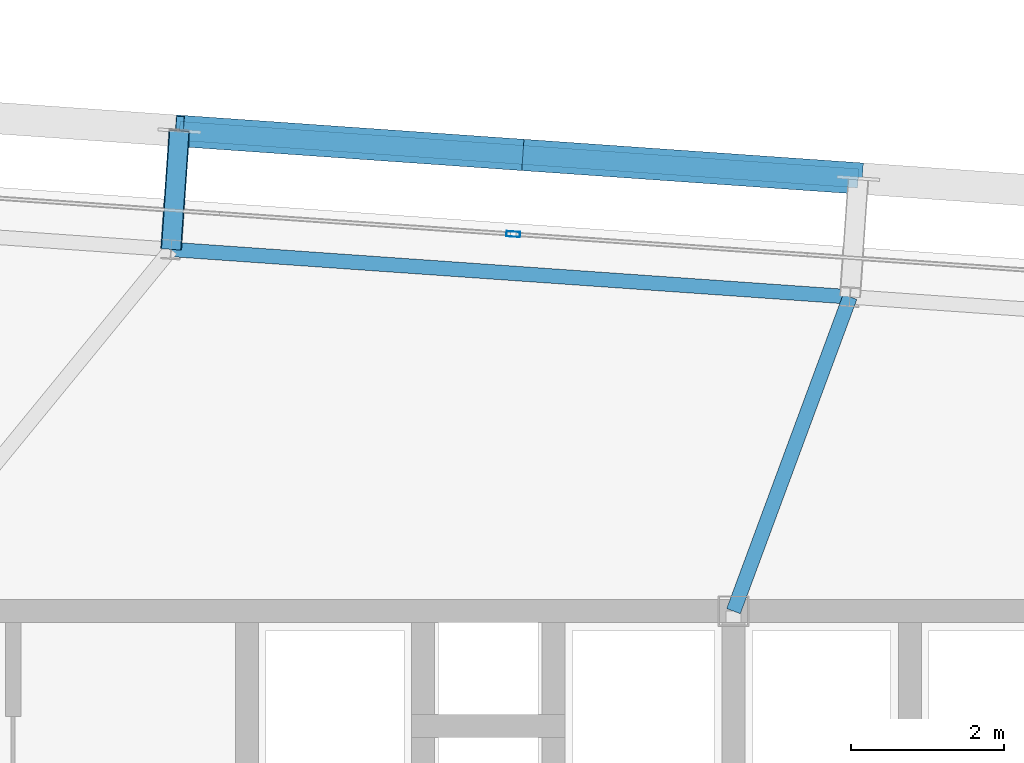
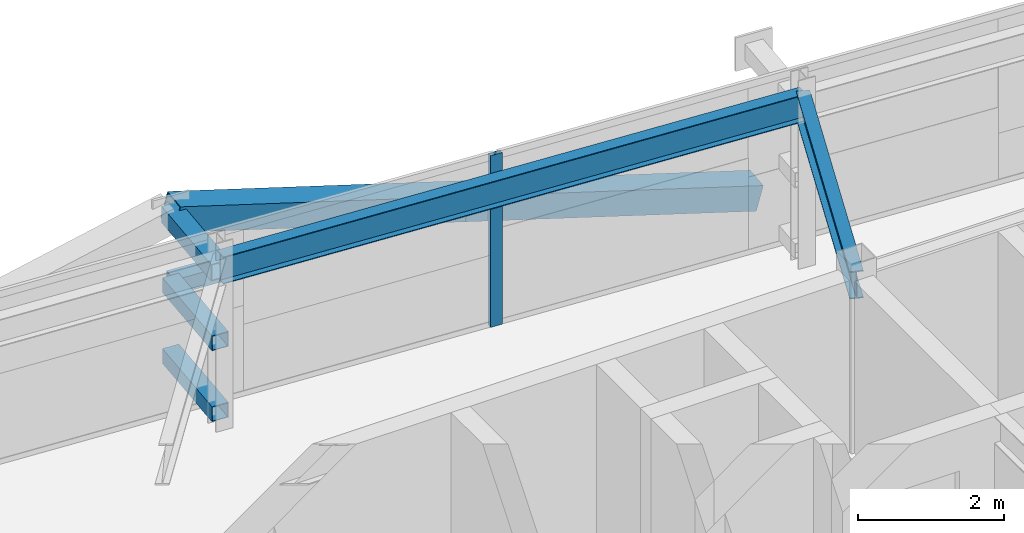
# One storey, part 22 of 39: 7 members, 2 beams, 1 element without a shape of its own.
"""IFC4 building model written with IfcOpenShell, lengths in metres."""

from ifc_helpers import new_model, si_unit, direction, frame, origin, origin_2d, place, context, subcontext, project, spatial, hollow_rectangle, i_section, extrude, source, transform, mapped, material, layer, layer_set, material_profile, profile_set, type_object, element, aggregate, save


model = new_model("IFC4")

# Units and contexts
model_context = context("Model", 3, precision=1e-05, world=origin(), true_north=direction((0.0, 1.0)))
body_context = subcontext(model_context, "Body", "Model", "MODEL_VIEW")
ifc_project = project(units=[si_unit("LENGTHUNIT", "METRE"), si_unit("AREAUNIT", "SQUARE_METRE"), si_unit("VOLUMEUNIT", "CUBIC_METRE"), si_unit("PLANEANGLEUNIT", "RADIAN"), si_unit("MASSUNIT", "GRAM", prefix="KILO")], contexts=[model_context])

# Site, building, storey
site_placement = place(None, origin())
site = spatial("IfcSite", under=ifc_project, at=site_placement, CompositionType="ELEMENT")
building_placement = place(site_placement, origin())
building = spatial("IfcBuilding", under=site, at=building_placement, Name="Taldren Reach Tower", CompositionType="ELEMENT")
storey_placement = place(building_placement, frame((0.0, 0.0, 161.35009765625)))
storey = spatial("IfcBuildingStorey", under=building, at=storey_placement, Name="L49", CompositionType="ELEMENT", Elevation=161.35009765625)

# Members
ifc_material_1 = material(Name="Steel Gr 450 (C450L0)", Category="steel")
ifc_material_profile_1 = material_profile(ifc_material_1, hollow_rectangle(XDim=0.27490234375, YDim=0.27490234375, WallThickness=0.00927734375, at=origin_2d()), Name="275x275x9.3SHS")
ifc_profile_set_1 = profile_set([ifc_material_profile_1], Name="Steel Gr 450 (C450L0)")
member_type_1 = type_object("IfcMemberType", Name="MB-TIE273", PredefinedType="STRUT", material=ifc_profile_set_1)
shared_shape_1 = source(origin(), body_context, "Body", "SweptSolid", [
    extrude(hollow_rectangle(XDim=0.27490234375, YDim=0.27490234375, WallThickness=0.00927734375, at=origin_2d()), origin(), (0.0, 0.0, 1.0), 1.5498046875),
])
member_1_placement = place(storey_placement, frame((31.861328125, 36.719970703125, 2.58984375), z_axis=(0.069780535098, 0.997562367434, 0.0), x_axis=(-0.997562367434, 0.069780535098, 0.0)))
element("IfcMember", 1, at=member_1_placement, inside=storey, type_object=member_type_1, Name="Exoskeleton diaphragm tie strut B3-N3 L49", PredefinedType="STRUT", context=body_context, shape_type="MappedRepresentation", body=[
    mapped(shared_shape_1, transform((0.0, 0.0, 0.0), scale=1.0)),
])
ifc_material_2 = material(Name="Steel Gr 350 (C350L0)", Category="steel")
ifc_material_profile_2 = material_profile(ifc_material_2, hollow_rectangle(XDim=0.25, YDim=0.25, WallThickness=0.010009765625, at=origin_2d()), Name="250x250x10.0SHS")
ifc_profile_set_2 = profile_set([ifc_material_profile_2], Name="Steel Gr 350 (C350L0)")
member_type_2 = type_object("IfcMemberType", Name="MB-POST250", PredefinedType="POST", material=ifc_profile_set_2)
shared_shape_2 = source(origin(), body_context, "Body", "SweptSolid", [
    extrude(hollow_rectangle(XDim=0.25, YDim=0.25, WallThickness=0.010009765625, at=origin_2d()), origin(), (0.0, 0.0, 1.0), 1.5498046875),
])
for number, where, z_axis, x_axis, name in (
    (2, (31.861328125, 36.719970703125, 0.219970703125), (0.069780535098, 0.997562367434, 0.0), (-0.997562367434, 0.069780535098, 0.0), "Exoskeleton base diaphragm tie strut B3-N3 L49"),
    (3, (31.861328125, 36.719970703125, 1.40478515625), (0.069780535098, 0.997562367434, 0.0), (-0.997562367434, 0.069780535098, 0.0), "Exoskeleton mid-tier diaphragm tie B3-N3 L49"),
):
    element("IfcMember", number, at=place(storey_placement, frame(where, z_axis=z_axis, x_axis=x_axis)), inside=storey, type_object=member_type_2, Name=name, PredefinedType="POST", context=body_context, shape_type="MappedRepresentation", body=[
        mapped(shared_shape_2, transform((0.0, 0.0, 0.0), scale=1.0)),
    ])

# Beams
ifc_material_3 = material(Name="Steel Gr 350 (350PLUS)", Category="steel")
ifc_material_profile_3 = material_profile(ifc_material_3, i_section(OverallWidth=0.18994140625, OverallDepth=0.4541015625, WebThickness=0.008544921875, FlangeThickness=0.0126953125, at=origin_2d()), Name="460UB67.1")
ifc_profile_set_3 = profile_set([ifc_material_profile_3], Name="Steel Gr 350 (350PLUS)")
beam_type_1 = type_object("IfcBeamType", Name="SP-UB460B", PredefinedType="SPANDREL", material=ifc_profile_set_3)
shared_shape_3 = source(origin(), body_context, "Body", "SweptSolid", [
    extrude(i_section(OverallWidth=0.18994140625, OverallDepth=0.4541015625, WebThickness=0.008544921875, FlangeThickness=0.0126953125, at=origin_2d()), origin(), (0.0, 0.0, 1.0), 8.880126953125),
])
beam_1_placement = place(storey_placement, frame((40.7197265625, 36.100341796875, 2.642822265625), z_axis=(-0.997562566276, 0.06977769246, 0.0), x_axis=(-0.06977769246, -0.997562566276, 0.0)))
element("IfcBeam", 4, at=beam_1_placement, inside=storey, type_object=beam_type_1, Name="Perimeter spandrel B3 N4-N3 L49", PredefinedType="SPANDREL", context=body_context, shape_type="MappedRepresentation", body=[
    mapped(shared_shape_3, transform((0.0, 0.0, 0.0), scale=1.0)),
])
ifc_material_profile_4 = material_profile(ifc_material_3, i_section(OverallWidth=0.19091796875, OverallDepth=0.4599609375, WebThickness=0.010009765625, FlangeThickness=0.01611328125, at=origin_2d()), Name="460UB82.1")
ifc_profile_set_4 = profile_set([ifc_material_profile_4], Name="Steel Gr 350 (350PLUS)")
beam_type_2 = type_object("IfcBeamType", Name="BM-UB460A", PredefinedType="BEAM", material=ifc_profile_set_4)
shared_shape_4 = source(origin(), body_context, "Body", "SweptSolid", [
    extrude(i_section(OverallWidth=0.19091796875, OverallDepth=0.4599609375, WebThickness=0.010009765625, FlangeThickness=0.01611328125, at=origin_2d()), origin(), (0.0, 0.0, 1.0), 4.373046875),
])
beam_2_placement = place(storey_placement, frame((39.199951171875, 32.0, 2.639892578125), z_axis=(0.347541638975, 0.937664550454, 0.0), x_axis=(-0.937664550454, 0.347541638975, 0.0)))
element("IfcBeam", 5, at=beam_2_placement, inside=storey, type_object=beam_type_2, Name="Primary floor girder B3-N4 L49", PredefinedType="BEAM", context=body_context, shape_type="MappedRepresentation", body=[
    mapped(shared_shape_4, transform((0.0, 0.0, 0.0), scale=1.0)),
])

# Members
shared_shape_5 = source(origin(), body_context, "Body", "SweptSolid", [
    extrude(hollow_rectangle(XDim=0.25, YDim=0.25, WallThickness=0.010009765625, at=origin_2d()), origin(), (0.0, 0.0, 1.0), 8.880126953125),
])
member_2_placement = place(storey_placement, frame((31.969482421875, 38.26611328125, 1.40478515625), z_axis=(0.997564479639, -0.069750333063, 0.0), x_axis=(0.069750333063, 0.997564479639, 0.0)))
element("IfcMember", 6, at=member_2_placement, inside=storey, type_object=member_type_2, Name="Exoskeleton mid-height ring chord B3-N3 L49", PredefinedType="POST", context=body_context, shape_type="MappedRepresentation", body=[
    mapped(shared_shape_5, transform((0.0, 0.0, 0.0), scale=1.0)),
])
ifc_material_profile_5 = material_profile(ifc_material_1, hollow_rectangle(XDim=0.409912109375, YDim=0.409912109375, WallThickness=0.01611328125, at=origin_2d()), Name="410x410x16.0SHS")
ifc_profile_set_5 = profile_set([ifc_material_profile_5], Name="Steel Gr 450 (C450L0)")
member_type_3 = type_object("IfcMemberType", Name="MB-EXO406", PredefinedType="BRACE", material=ifc_profile_set_5)
shared_shape_6 = source(origin(), body_context, "Body", "SweptSolid", [
    extrude(hollow_rectangle(XDim=0.409912109375, YDim=0.409912109375, WallThickness=0.01611328125, at=origin_2d()), origin(), (0.0, 0.0, 1.0), 4.595458984375),
])
for number, where, z_axis, x_axis, name in (
    (7, (40.827880859375, 37.646728515625, 0.219970703125), (-0.963839535663, 0.0673657001, 0.257827872703), (-0.069722973508, -0.997566392259, 0.0), "Exoskeleton Diagrid Brace B3-N3 L49"),
    (8, (36.398681640625, 37.956298828125, 1.40478515625), (-0.96382288138, 0.067417662687, 0.257876544274), (-0.06977769246, -0.997562566276, 0.0), "Exoskeleton Diagrid Brace B3-N3 L49"),
):
    element("IfcMember", number, at=place(storey_placement, frame(where, z_axis=z_axis, x_axis=x_axis)), inside=storey, type_object=member_type_3, Name=name, PredefinedType="BRACE", context=body_context, shape_type="MappedRepresentation", body=[
        mapped(shared_shape_6, transform((0.0, 0.0, 0.0), scale=1.0)),
    ])

# Curtain wall, member
ifc_material_4 = material(Name="Aluminium and Low-E Glass Unitised System", Category="aluminium")
ifc_layer = layer(ifc_material_4, 0.159912109375)
ifc_layer_set = layer_set([ifc_layer], Name="Aluminium and Low-E Glass Unitised System")
curtain_wall_type = type_object("IfcCurtainWallType", Name="CW-SYS-4", PredefinedType="NOTDEFINED", material=ifc_layer_set)
curtain_wall_placement = place(storey_placement, origin())
curtain_wall = element("IfcCurtainWall", 9, at=curtain_wall_placement, inside=storey, type_object=curtain_wall_type, Name="Unitised curtain wall CW-L49-N", PredefinedType="NOTDEFINED")
ifc_material_5 = material(Name="Anodised Aluminium 6063-T6", Category="aluminium")
ifc_material_profile_6 = material_profile(ifc_material_5, hollow_rectangle(XDim=0.070068359375, YDim=0.179931640625, WallThickness=0.00390625, at=origin_2d()), Name="ALU-180x70x4RHS")
ifc_profile_set_6 = profile_set([ifc_material_profile_6], Name="Anodised Aluminium 6063-T6")
member_type_4 = type_object("IfcMemberType", Name="CW-MUL-180", PredefinedType="MULLION", material=ifc_profile_set_6)
shared_shape_7 = source(origin(), body_context, "Body", "SweptSolid", [
    extrude(hollow_rectangle(XDim=0.070068359375, YDim=0.179931640625, WallThickness=0.00390625, at=origin_2d()), origin(), (0.0, 0.0, 1.0), 2.869873046875),
])
member_3_placement = place(storey_placement, frame((36.326171875, 36.9189453125, 0.0), z_axis=(0.0, 0.0, 1.0), x_axis=(-0.06975651593, -0.99756404731, 0.0)))
member_3 = element("IfcMember", 10, at=member_3_placement, type_object=member_type_4, Name="CW-4 mullion 3", PredefinedType="MULLION", context=body_context, shape_type="MappedRepresentation", body=[
    mapped(shared_shape_7, transform((0.0, 0.0, 0.0), scale=1.0)),
])
aggregate(curtain_wall, [member_3])

save(model, "model.ifc")
